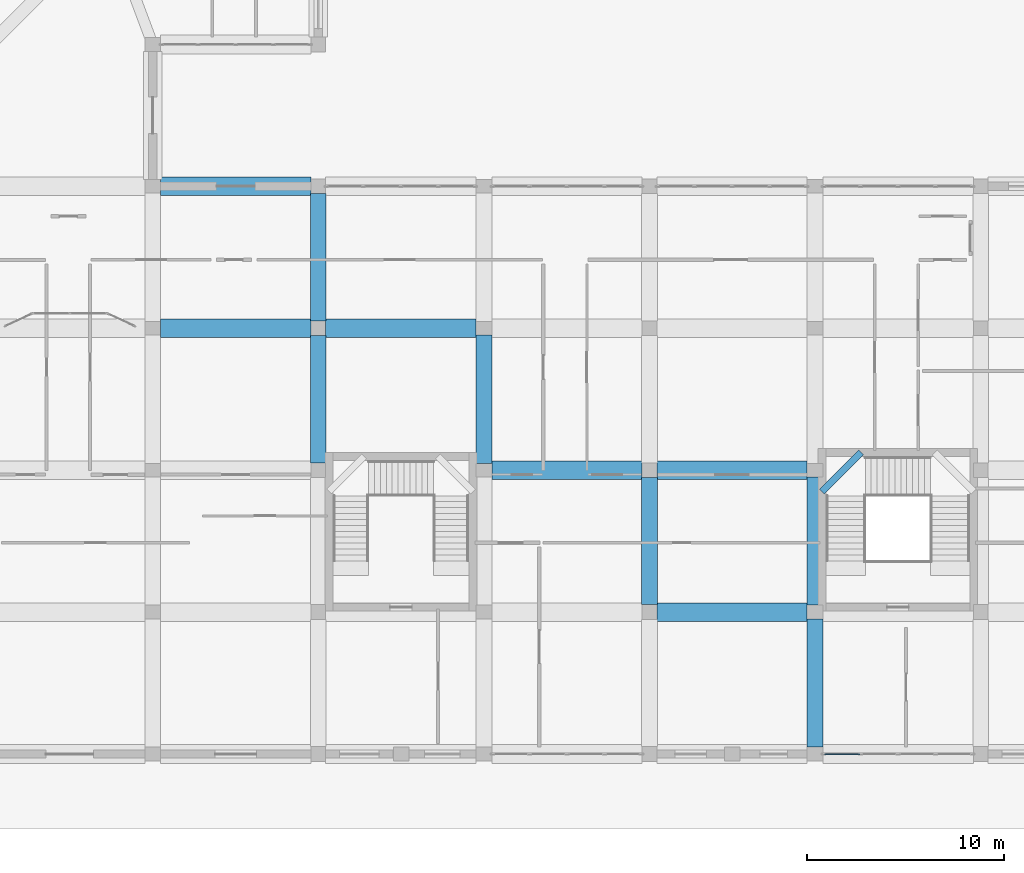
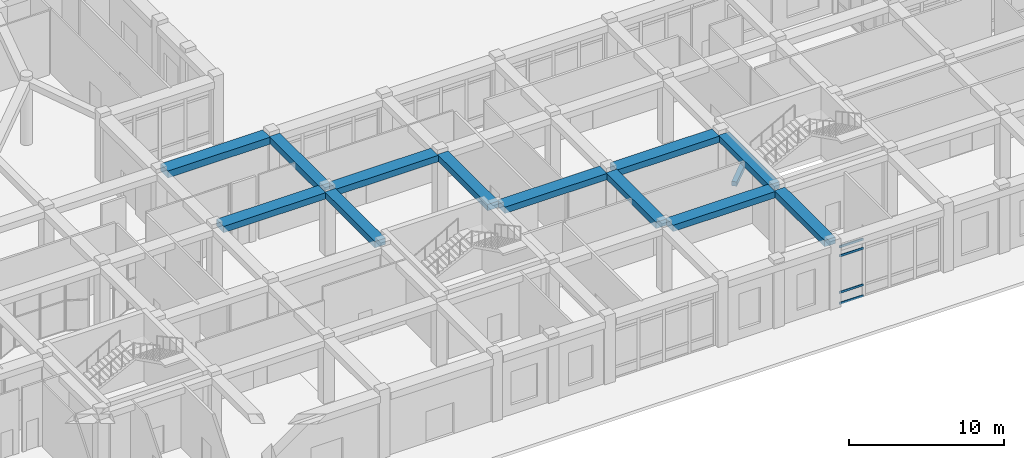
# One storey, part 20 of 84: 13 beams, 4 members, 1 element without a shape of its own.
"""IFC4 building model written with IfcOpenShell, lengths in metres."""

import ifcopenshell
import ifcopenshell.guid

model = None  # the IFC model being written
_history = None  # IfcOwnerHistory: only IFC2X3 demands one
_inside = {}  # id of a spatial element -> (the spatial element, [elements in it])
_under = {}  # id of a project, library or spatial element -> (it, [spatial elements below it])
_declared = {}  # id of a project -> (the project, [libraries it declares])
_typed = {}  # id of a type object -> (the type object, [elements of that type])
_made_of = {}  # id of a material, layer set ... -> (it, [elements and type objects made of it])


def new_model(schema):
    """Start an empty IFC model of exactly this schema.

    Asked for "IFC4X3", IfcOpenShell would pick the latest addendum, in which some entities
    have other attributes; the version numbers below select the first issue.
    IFC2X3 requires an IfcOwnerHistory on every rooted entity: one is made here for all.
    """
    global model, _history
    if schema == "IFC4X3":
        model = ifcopenshell.file(schema_version=(4, 3, 0, 0))
    else:
        model = ifcopenshell.file(schema=schema)
    _inside.clear()
    _under.clear()
    _declared.clear()
    _typed.clear()
    _made_of.clear()
    _history = None
    if model.schema == "IFC2X3":
        org = make("IfcOrganization", Name="unknown")
        user = make(
            "IfcPersonAndOrganization",
            ThePerson=make("IfcPerson", FamilyName="unknown"),
            TheOrganization=org,
        )
        app = make(
            "IfcApplication",
            ApplicationDeveloper=org,
            Version="unknown",
            ApplicationFullName="unknown",
            ApplicationIdentifier="unknown",
        )
        _history = make(
            "IfcOwnerHistory",
            OwningUser=user,
            OwningApplication=app,
            ChangeAction="ADDED",
            CreationDate=0,
        )
    return model


def make(cls, **values):
    """One entity of the class cls with the attributes given. An attribute that is None is left unset."""
    return model.create_entity(
        cls, **{name: value for name, value in values.items() if value is not None}
    )


def rooted(cls, **values):
    """An entity with a GlobalId (a new one), such as an element, a storey or a relation."""
    return make(cls, GlobalId=ifcopenshell.guid.new(), OwnerHistory=_history, **values)


def si_unit(unit_type, name, prefix=None):
    """IfcSIUnit, for example si_unit("LENGTHUNIT", "METRE", prefix="MILLI")."""
    return make("IfcSIUnit", UnitType=unit_type, Prefix=prefix, Name=name)


def derived_unit(unit_type, elements):
    """IfcDerivedUnit: a product of units, each with its exponent."""
    return make(
        "IfcDerivedUnit",
        Elements=[
            make("IfcDerivedUnitElement", Unit=unit, Exponent=power)
            for unit, power in elements
        ],
        UnitType=unit_type,
    )


def assignment(units):
    """IfcUnitAssignment: the units of a project."""
    return None if units is None else make("IfcUnitAssignment", Units=units)


def point(xyz):
    """IfcCartesianPoint."""
    return None if xyz is None else make("IfcCartesianPoint", Coordinates=xyz)


def direction(xyz):
    """IfcDirection."""
    return None if xyz is None else make("IfcDirection", DirectionRatios=xyz)


def frame(location, z_axis=None, x_axis=None):
    """IfcAxis2Placement3D, a coordinate frame: its origin and axes. An axis left out is left unset."""
    return make(
        "IfcAxis2Placement3D",
        Location=point(location),
        Axis=direction(z_axis),
        RefDirection=direction(x_axis),
    )


def frame_2d(location, x_axis=None):
    """IfcAxis2Placement2D, a coordinate frame in the plane: its origin and x axis."""
    return make(
        "IfcAxis2Placement2D", Location=point(location), RefDirection=direction(x_axis)
    )


def origin():
    """The frame at (0, 0, 0) with its axes left unset."""
    return frame((0.0, 0.0, 0.0))


def origin_2d():
    """The frame at (0, 0) in the plane with its x axis left unset."""
    return frame_2d((0.0, 0.0))


def place(relative_to, where):
    """IfcLocalPlacement: puts the frame where relative to a parent placement (None: the world)."""
    return make(
        "IfcLocalPlacement", PlacementRelTo=relative_to, RelativePlacement=where
    )


def context(
    kind, dimensions, precision=None, world=None, true_north=None, identifier=None
):
    """IfcGeometricRepresentationContext, for example the 3D "Model" context."""
    return make(
        "IfcGeometricRepresentationContext",
        ContextIdentifier=identifier,
        ContextType=kind,
        CoordinateSpaceDimension=dimensions,
        Precision=precision,
        WorldCoordinateSystem=world,
        TrueNorth=true_north,
    )


def subcontext(parent, identifier, kind, view, scale=None):
    """IfcGeometricRepresentationSubContext, for example "Body" below "Model"."""
    return make(
        "IfcGeometricRepresentationSubContext",
        ContextIdentifier=identifier,
        ContextType=kind,
        ParentContext=parent,
        TargetScale=scale,
        TargetView=view,
    )


def project(units=None, contexts=None):
    """IfcProject with its units and contexts."""
    return rooted(
        "IfcProject",
        Name="project",
        RepresentationContexts=contexts,
        UnitsInContext=assignment(units),
    )


def spatial(cls, under=None, at=None, **own):
    """A site, building, storey or space (cls), placed at a placement, below another one or the project."""
    s = rooted(cls, ObjectPlacement=at, **own)
    if under is not None:
        _under.setdefault(under.id(), (under, []))[1].append(s)
    return s


def profile(cls, at=None, kind="AREA", **sizes):
    """A parametric profile (cls). Its sizes go by their IFC names, for example OverallWidth=200.0."""
    return make(cls, ProfileType=kind, Position=at, **sizes)


def rectangle(**sizes):
    """IfcRectangleProfileDef."""
    return profile("IfcRectangleProfileDef", **sizes)


def hollow_rectangle(**sizes):
    """IfcRectangleHollowProfileDef."""
    return profile("IfcRectangleHollowProfileDef", **sizes)


def extrude(swept, where, along, depth):
    """IfcExtrudedAreaSolid: the profile swept, set in the frame where, extruded along a direction by depth."""
    return make(
        "IfcExtrudedAreaSolid",
        SweptArea=swept,
        Position=where,
        ExtrudedDirection=direction(along),
        Depth=depth,
    )


def shape(context_of_items, identifier, shape_type, items):
    """IfcShapeRepresentation: the items that make up one representation, for example the "Body"."""
    return make(
        "IfcShapeRepresentation",
        ContextOfItems=context_of_items,
        RepresentationIdentifier=identifier,
        RepresentationType=shape_type,
        Items=items,
    )


def material(Name=None, Category=None):
    """IfcMaterial."""
    return make("IfcMaterial", Name=Name, Category=Category)


def material_profile(
    of_material, cross_section, Name=None, Category=None, Priority=None
):
    """IfcMaterialProfile: a cross section and its material."""
    return make(
        "IfcMaterialProfile",
        Name=Name,
        Material=of_material,
        Profile=cross_section,
        Priority=Priority,
        Category=Category,
    )


def profile_set(profiles, Name=None, composite=None):
    """IfcMaterialProfileSet."""
    return make(
        "IfcMaterialProfileSet",
        Name=Name,
        MaterialProfiles=profiles,
        CompositeProfile=composite,
    )


def made_of(thing, what):
    """Note that an element or type object is made of a material, layer set ...; save() writes the relation."""
    if what is not None:
        _made_of.setdefault(what.id(), (what, []))[1].append(thing)
    return thing


def type_object(cls, material=None, **own):
    """A type object (cls), such as IfcWallType, which elements share."""
    return made_of(rooted(cls, **own), material)


def element(
    cls,
    number,
    at=None,
    inside=None,
    cuts=None,
    type_object=None,
    material=None,
    context=None,
    identifier="Body",
    shape_type=None,
    held_by="IfcProductDefinitionShape",
    body=None,
    shapes=None,
    **own,
):
    """One element of the class cls, such as IfcWall. Its Tag is "e" and its number.

    at: its placement. inside: the storey or other place that contains it. cuts: it is an
    opening in that element (IfcRelVoidsElement). A single representation is given by context,
    identifier, shape_type and body (its items); several are given by shapes. held_by: the class
    of the entity that holds the representations. save() writes the other relations.
    """
    e = rooted(cls, Tag="e%d" % number, ObjectPlacement=at, **own)
    if body is not None:
        shapes = [shape(context, identifier, shape_type, body)]
    if shapes is not None:
        e.Representation = make(held_by, Representations=shapes)
    if inside is not None:
        _inside.setdefault(inside.id(), (inside, []))[1].append(e)
    if cuts is not None:
        rooted(
            "IfcRelVoidsElement", RelatingBuildingElement=cuts, RelatedOpeningElement=e
        )
    if type_object is not None:
        _typed.setdefault(type_object.id(), (type_object, []))[1].append(e)
    return made_of(e, material)


def aggregate(whole, parts):
    """IfcRelAggregates: a whole, such as a stair, and the parts it consists of."""
    return rooted("IfcRelAggregates", RelatingObject=whole, RelatedObjects=parts)


def save(model, path):
    """Write the relations noted so far, then the file.

    IfcRelAggregates (storeys below a building ...), IfcRelContainedInSpatialStructure (elements
    in a storey), IfcRelDefinesByType, IfcRelAssociatesMaterial and IfcRelDeclares: one each for
    every whole, place, type object, material and project.
    """
    for whole, parts in _under.values():
        aggregate(whole, parts)
    for where, things in _inside.values():
        rooted(
            "IfcRelContainedInSpatialStructure",
            RelatedElements=things,
            RelatingStructure=where,
        )
    for kind, things in _typed.values():
        rooted("IfcRelDefinesByType", RelatedObjects=things, RelatingType=kind)
    for what, things in _made_of.values():
        rooted("IfcRelAssociatesMaterial", RelatedObjects=things, RelatingMaterial=what)
    for by, libraries in _declared.values():
        rooted("IfcRelDeclares", RelatingContext=by, RelatedDefinitions=libraries)
    model.write(path)


model = new_model("IFC4")

# Units and contexts
model_context = context("Model", 3, precision=1e-05, world=origin(), true_north=direction((0.0, 1.0)))
body_context = subcontext(model_context, "Body", "Model", "MODEL_VIEW")
ifc_project = project(units=[si_unit("LENGTHUNIT", "METRE"), si_unit("AREAUNIT", "SQUARE_METRE"), si_unit("VOLUMEUNIT", "CUBIC_METRE"), si_unit("PLANEANGLEUNIT", "RADIAN"), si_unit("MASSUNIT", "GRAM", prefix="KILO"), derived_unit("THERMALTRANSMITTANCEUNIT", [(si_unit("POWERUNIT", "WATT"), 1), (si_unit("LENGTHUNIT", "METRE"), -2), (si_unit("THERMODYNAMICTEMPERATUREUNIT", "KELVIN"), -1)])], contexts=[model_context])

# Site, building, storey
site_placement = place(None, origin())
site = spatial("IfcSite", under=ifc_project, at=site_placement, CompositionType="ELEMENT")
building_placement = place(site_placement, origin())
building = spatial("IfcBuilding", under=site, at=building_placement, Name="Veybourne Emporium", CompositionType="ELEMENT")
storey_placement = place(building_placement, origin())
storey = spatial("IfcBuildingStorey", under=building, at=storey_placement, Name="L00", CompositionType="ELEMENT", Elevation=0.0)

# Curtain wall, members
ifc_material_1 = material(Name="Patinated Architectural Bronze", Category="bronze")
curtain_wall_type = type_object("IfcCurtainWallType", Name="CWSystem_CWS-14", PredefinedType="NOTDEFINED", material=ifc_material_1)
curtain_wall_placement = place(storey_placement, origin())
curtain_wall = element("IfcCurtainWall", 1, at=curtain_wall_placement, inside=storey, type_object=curtain_wall_type, Name="L00 bronze glazed curtain wall CWS-14 (065)", PredefinedType="NOTDEFINED")
ifc_material_profile_1 = material_profile(ifc_material_1, hollow_rectangle(XDim=0.074951171875, YDim=0.179931640625, WallThickness=0.0048828125, InnerFilletRadius=0.007568359375, OuterFilletRadius=0.012451171875, at=origin_2d()), Name="CWT 75x180x5")
ifc_profile_set_1 = profile_set([ifc_material_profile_1], Name="Patinated Architectural Bronze")
member_type = type_object("IfcMemberType", Name="CWTransom_CW-T2", PredefinedType="NOTDEFINED", material=ifc_profile_set_1)
member_1_placement = place(storey_placement, frame((128.268798828125, 0.0, 0.03759765625), z_axis=(-1.0, 0.0, 0.0), x_axis=(0.0, -1.0, 0.0)))
member_1 = element("IfcMember", 2, at=member_1_placement, type_object=member_type, Name="CWS-14 transom 4.1", ObjectType="TRANSOM", PredefinedType="USERDEFINED", context=body_context, shape_type="SweptSolid", body=[
    extrude(hollow_rectangle(XDim=0.074951171875, YDim=0.179931640625, WallThickness=0.0048828125, InnerFilletRadius=0.007568359375, OuterFilletRadius=0.012451171875, at=origin_2d()), origin(), (0.0, 0.0, 1.0), 1.793701171875),
])
member_2_placement = place(storey_placement, frame((128.268798828125, 0.0, 0.89990234375), z_axis=(-1.0, 0.0, 0.0), x_axis=(0.0, -1.0, 0.0)))
member_2 = element("IfcMember", 3, at=member_2_placement, type_object=member_type, Name="CWS-14 transom 4.2", ObjectType="TRANSOM", PredefinedType="USERDEFINED", context=body_context, shape_type="SweptSolid", body=[
    extrude(hollow_rectangle(XDim=0.074951171875, YDim=0.179931640625, WallThickness=0.0048828125, InnerFilletRadius=0.007568359375, OuterFilletRadius=0.012451171875, at=origin_2d()), origin(), (0.0, 0.0, 1.0), 1.793701171875),
])
member_3_placement = place(storey_placement, frame((128.268798828125, 0.0, 3.780029296875), z_axis=(-1.0, 0.0, 0.0), x_axis=(0.0, -1.0, 0.0)))
member_3 = element("IfcMember", 4, at=member_3_placement, type_object=member_type, Name="CWS-14 transom 4.3", ObjectType="TRANSOM", PredefinedType="USERDEFINED", context=body_context, shape_type="SweptSolid", body=[
    extrude(hollow_rectangle(XDim=0.074951171875, YDim=0.179931640625, WallThickness=0.0048828125, InnerFilletRadius=0.007568359375, OuterFilletRadius=0.012451171875, at=origin_2d()), origin(), (0.0, 0.0, 1.0), 1.793701171875),
])
member_4_placement = place(storey_placement, frame((128.268798828125, 0.0, 4.492431640625), z_axis=(-1.0, 0.0, 0.0), x_axis=(0.0, -1.0, 0.0)))
member_4 = element("IfcMember", 5, at=member_4_placement, type_object=member_type, Name="CWS-14 transom 4.4", ObjectType="TRANSOM", PredefinedType="USERDEFINED", context=body_context, shape_type="SweptSolid", body=[
    extrude(hollow_rectangle(XDim=0.074951171875, YDim=0.179931640625, WallThickness=0.0048828125, InnerFilletRadius=0.007568359375, OuterFilletRadius=0.012451171875, at=origin_2d()), origin(), (0.0, 0.0, 1.0), 1.793701171875),
])
aggregate(curtain_wall, [member_1, member_2, member_3, member_4])

# Beams
ifc_material_2 = material(Name="Concrete C32/40", Category="concrete")
ifc_material_profile_2 = material_profile(ifc_material_2, rectangle(XDim=0.35009765625, YDim=0.35009765625, at=origin_2d()), Name="RC 350x350")
ifc_profile_set_2 = profile_set([ifc_material_profile_2], Name="Concrete C32/40")
beam_type_1 = type_object("IfcBeamType", Name="LandingBeam_LB-01", PredefinedType="BEAM", material=ifc_profile_set_2)
beam_1_placement = place(storey_placement, frame((126.35009765625, 13.320068359375, 1.425048828125), z_axis=(0.707106781187, 0.707106781187, 0.0), x_axis=(-0.707106781187, 0.707106781187, 0.0)))
element("IfcBeam", 6, at=beam_1_placement, inside=storey, type_object=beam_type_1, Name="L00 ST-06 landing 1 support beam", PredefinedType="BEAM", context=body_context, shape_type="SweptSolid", body=[
    extrude(rectangle(XDim=0.35009765625, YDim=0.35009765625, at=origin_2d()), origin(), (0.0, 0.0, 1.0), 2.800048828125),
])
ifc_material_profile_3 = material_profile(ifc_material_2, rectangle(XDim=0.949951171875, YDim=0.5, at=origin_2d()), Name="RC 950x500")
ifc_profile_set_3 = profile_set([ifc_material_profile_3], Name="Concrete C32/40")
beam_type_2 = type_object("IfcBeamType", Name="RCBeam_BB-01", PredefinedType="BEAM", material=ifc_profile_set_3)
for number, where, z_axis, x_axis, name in (
    (7, (92.800048828125, 21.60009765625, 4.830078125), (1.0, 0.0, 0.0), (0.0, 1.0, 0.0), "L00 X-grid beam BB-01 (11,3)"),
    (8, (101.175048828125, 21.60009765625, 4.830078125), (1.0, 0.0, 0.0), (0.0, 1.0, 0.0), "L00 X-grid beam BB-01 (12,3)"),
    (9, (109.60009765625, 14.39990234375, 4.830078125), (1.0, 0.0, 0.0), (0.0, 1.0, 0.0), "L00 X-grid beam BB-01 (13,2)"),
    (10, (117.97509765625, 7.199951171875, 4.830078125), (1.0, 0.0, 0.0), (0.0, 1.0, 0.0), "L00 X-grid beam BB-01 (14,1)"),
    (11, (117.97509765625, 14.39990234375, 4.830078125), (1.0, 0.0, 0.0), (0.0, 1.0, 0.0), "L00 X-grid beam BB-01 (14,2)"),
):
    element("IfcBeam", number, at=place(storey_placement, frame(where, z_axis=z_axis, x_axis=x_axis)), inside=storey, type_object=beam_type_2, Name=name, PredefinedType="BEAM", context=body_context, shape_type="SweptSolid", body=[
        extrude(rectangle(XDim=0.949951171875, YDim=0.5, at=origin_2d()), origin(), (0.0, 0.0, 1.0), 7.625),
    ])
ifc_material_profile_4 = material_profile(ifc_material_2, rectangle(XDim=0.800048828125, YDim=0.5, at=origin_2d()), Name="RC 800x500")
ifc_profile_set_4 = profile_set([ifc_material_profile_4], Name="Concrete C32/40")
beam_type_3 = type_object("IfcBeamType", Name="RCBeam_BB-02", PredefinedType="BEAM", material=ifc_profile_set_4)
beam_2_placement = place(storey_placement, frame((100.800048828125, 14.77490234375, 4.830078125), z_axis=(0.0, 1.0, 0.0), x_axis=(-1.0, 0.0, 0.0)))
element("IfcBeam", 12, at=beam_2_placement, inside=storey, type_object=beam_type_3, Name="L00 Y-grid beam BB-02 (12,2)", PredefinedType="BEAM", context=body_context, shape_type="SweptSolid", body=[
    extrude(rectangle(XDim=0.800048828125, YDim=0.5, at=origin_2d()), origin(), (0.0, 0.0, 1.0), 6.4501953125),
])
beam_3_placement = place(storey_placement, frame((100.800048828125, 21.97509765625, 4.830078125), z_axis=(0.0, 1.0, 0.0), x_axis=(-1.0, 0.0, 0.0)))
element("IfcBeam", 13, at=beam_3_placement, inside=storey, type_object=beam_type_3, Name="L00 Y-grid beam BB-02 (12,3)", PredefinedType="BEAM", context=body_context, shape_type="SweptSolid", body=[
    extrude(rectangle(XDim=0.800048828125, YDim=0.5, at=origin_2d()), origin(), (0.0, 0.0, 1.0), 6.449951171875),
])
beam_4_placement = place(storey_placement, frame((109.199951171875, 14.75, 4.830078125), z_axis=(0.0, 1.0, 0.0), x_axis=(-1.0, 0.0, 0.0)))
element("IfcBeam", 14, at=beam_4_placement, inside=storey, type_object=beam_type_3, Name="L00 Y-grid beam BB-02 (13,2)", PredefinedType="BEAM", context=body_context, shape_type="SweptSolid", body=[
    extrude(rectangle(XDim=0.800048828125, YDim=0.5, at=origin_2d()), origin(), (0.0, 0.0, 1.0), 6.5),
])
beam_5_placement = place(storey_placement, frame((117.60009765625, 7.574951171875, 4.830078125), z_axis=(0.0, 1.0, 0.0), x_axis=(-1.0, 0.0, 0.0)))
element("IfcBeam", 15, at=beam_5_placement, inside=storey, type_object=beam_type_3, Name="L00 Y-grid beam BB-02 (14,1)", PredefinedType="BEAM", context=body_context, shape_type="SweptSolid", body=[
    extrude(rectangle(XDim=0.800048828125, YDim=0.5, at=origin_2d()), origin(), (0.0, 0.0, 1.0), 6.449951171875),
])
for number, where, z_axis, x_axis, name in (
    (16, (126.0, 0.35009765625, 4.830078125), (0.0, 1.0, 0.0), (-1.0, 0.0, 0.0), "L00 Y-grid beam BB-02 (15,0)"),
    (17, (126.0, 7.550048828125, 4.830078125), (0.0, 1.0, 0.0), (-1.0, 0.0, 0.0), "L00 Y-grid beam BB-02 (15,1)"),
):
    element("IfcBeam", number, at=place(storey_placement, frame(where, z_axis=z_axis, x_axis=x_axis)), inside=storey, type_object=beam_type_3, Name=name, PredefinedType="BEAM", context=body_context, shape_type="SweptSolid", body=[
        extrude(rectangle(XDim=0.800048828125, YDim=0.5, at=origin_2d()), origin(), (0.0, 0.0, 1.0), 6.5),
    ])
ifc_material_profile_5 = material_profile(ifc_material_2, rectangle(XDim=0.949951171875, YDim=0.550048828125, at=origin_2d()), Name="RC 950x550")
ifc_profile_set_5 = profile_set([ifc_material_profile_5], Name="Concrete C32/40")
beam_type_4 = type_object("IfcBeamType", Name="RCBeam_EB-01", PredefinedType="SPANDREL", material=ifc_profile_set_5)
beam_6_placement = place(storey_placement, frame((92.800048828125, 28.800048828125, 4.804931640625), z_axis=(1.0, 0.0, 0.0), x_axis=(0.0, 1.0, 0.0)))
element("IfcBeam", 18, at=beam_6_placement, inside=storey, type_object=beam_type_4, Name="L00 X-grid beam EB-01 (11,4)", PredefinedType="SPANDREL", context=body_context, shape_type="SweptSolid", body=[
    extrude(rectangle(XDim=0.949951171875, YDim=0.550048828125, at=origin_2d()), origin(), (0.0, 0.0, 1.0), 7.625),
])

save(model, "model.ifc")
